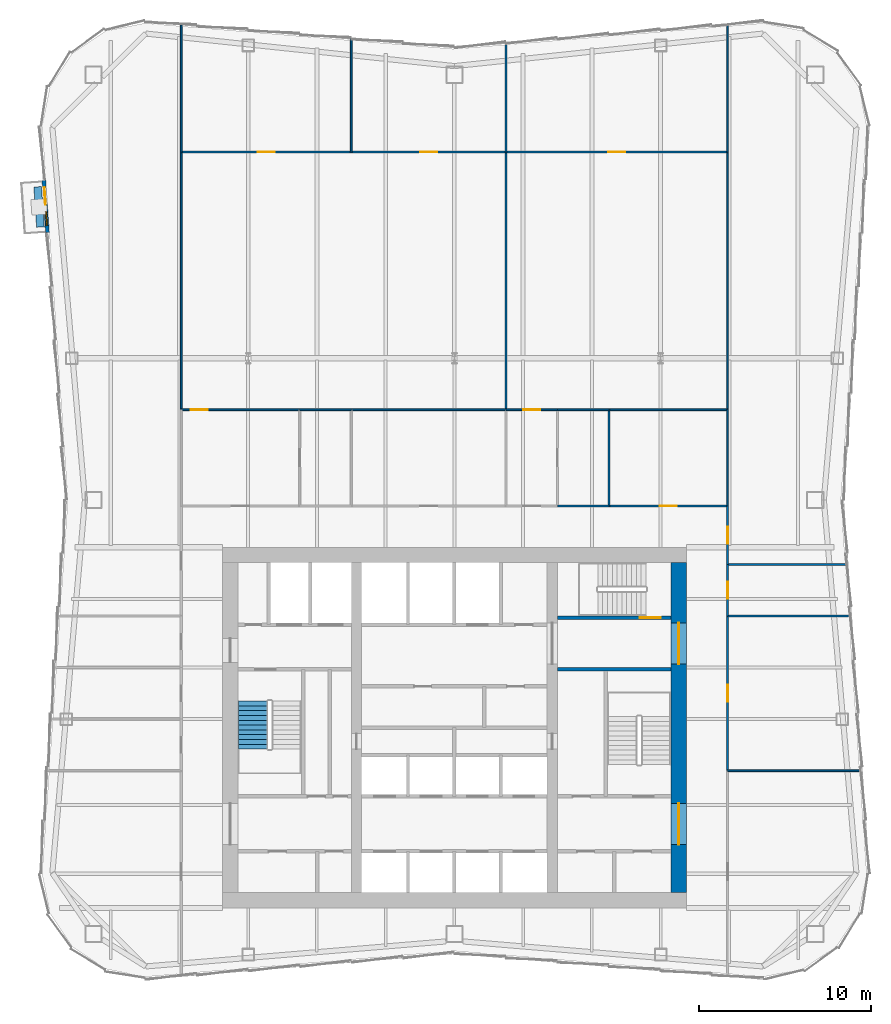
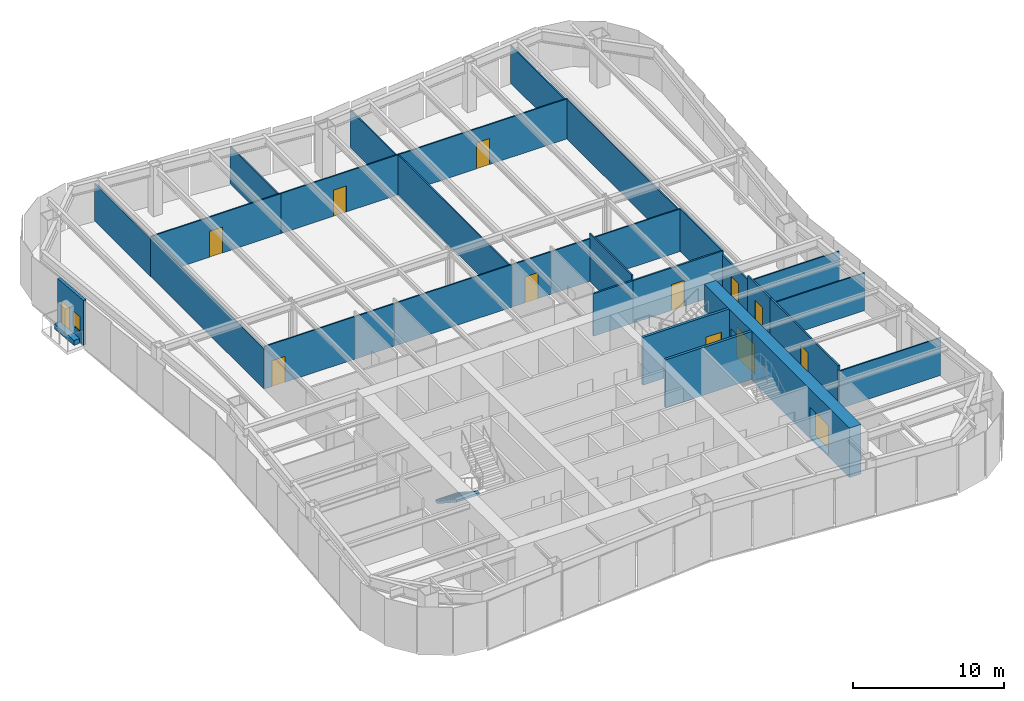
# One storey, part 7 of 10: 31 walls, 13 doors, 1 stair flight, 1 window, 14 openings, 1 element without a shape of its own.
"""IFC4 building model written with IfcOpenShell, lengths in metres."""

from ifc_helpers import new_model, si_unit, direction, frame, frame_2d, origin, place, context, subcontext, project, spatial, polyline, rectangle, outline, extrude, material, layer, layer_set, type_object, element, fill, aggregate, save


model = new_model("IFC4")

# Units and contexts
model_context = context("Model", 3, precision=1e-05, world=origin(), true_north=direction((0.0, 1.0)))
body_context = subcontext(model_context, "Body", "Model", "MODEL_VIEW")
ifc_project = project(units=[si_unit("LENGTHUNIT", "METRE"), si_unit("AREAUNIT", "SQUARE_METRE"), si_unit("VOLUMEUNIT", "CUBIC_METRE"), si_unit("PLANEANGLEUNIT", "RADIAN"), si_unit("MASSUNIT", "GRAM", prefix="KILO")], contexts=[model_context])

# Site, building, storey
site_placement = place(None, origin())
site = spatial("IfcSite", under=ifc_project, at=site_placement, CompositionType="ELEMENT")
building_placement = place(site_placement, origin())
building = spatial("IfcBuilding", under=site, at=building_placement, Name="Verdant Reach Tower", CompositionType="ELEMENT")
storey_placement = place(building_placement, frame((0.0, 0.0, 190.0)))
storey = spatial("IfcBuildingStorey", under=building, at=storey_placement, Name="L43", CompositionType="ELEMENT", Elevation=190.0)

# Wall
ifc_material_1 = material(Name="Concrete C40/50", Category="concrete")
ifc_layer_1 = layer(ifc_material_1, 0.199951171875)
ifc_layer_set_1 = layer_set([ifc_layer_1], Name="CO-WALL-STAIR")
wall_type_1 = type_object("IfcWallType", Name="CO-WALL-STAIR", PredefinedType="PARTITIONING", material=ifc_layer_set_1)
wall_1_placement = place(storey_placement, frame((6.0, 31.39990234375, 0.0), z_axis=(0.0, 0.0, 1.0), x_axis=(1.0, 0.0, 0.0)))
element("IfcWall", 1, at=wall_1_placement, inside=storey, type_object=wall_type_1, Name="Stair enclosure wall, L43", PredefinedType="PARTITIONING", context=body_context, shape_type="SweptSolid", body=[
    extrude(rectangle(XDim=6.60009765625, YDim=0.199951171875, at=frame_2d((3.300048828125, 0.0))), origin(), (0.0, 0.0, 1.0), 3.8701171875),
])

# Wall, opening, door
wall_2_placement = place(storey_placement, frame((6.0, 34.39990234375, 0.0), z_axis=(0.0, 0.0, 1.0), x_axis=(1.0, 0.0, 0.0)))
wall_2 = element("IfcWall", 2, at=wall_2_placement, inside=storey, type_object=wall_type_1, Name="Stair enclosure wall, L43", PredefinedType="PARTITIONING", context=body_context, shape_type="SweptSolid", body=[
    extrude(rectangle(XDim=6.60009765625, YDim=0.199951171875, at=frame_2d((3.300048828125, 0.0))), origin(), (0.0, 0.0, 1.0), 3.8701171875),
])
opening_1_placement = place(wall_2_placement, frame((4.800048828125, 0.0, 0.0)))
opening_1 = element("IfcOpeningElement", 3, at=opening_1_placement, cuts=wall_2, Name="Opening SD", PredefinedType="OPENING", context=body_context, shape_type="SweptSolid", body=[
    extrude(rectangle(XDim=1.199951171875, YDim=2.199951171875, at=frame_2d((0.60009765625, 1.10009765625))), frame((0.0, 0.10986328125, 0.0), z_axis=(0.0, -1.0, 0.0), x_axis=(1.0, 0.0, 0.0)), (0.0, 0.0, 1.0), 0.219970703125),
])
ifc_material_2 = material(Name="Steel", Category="steel")
door_type_1 = type_object("IfcDoorType", Name="CO-DOOR-STAIR", OperationType="NOTDEFINED", PredefinedType="DOOR", material=ifc_material_2)
door_1_placement = place(opening_1_placement, origin())
door_1 = element("IfcDoor", 4, at=door_1_placement, inside=storey, type_object=door_type_1, Name="Stair door, L43", OperationType="SINGLE_SWING_RIGHT", OverallHeight=2.199951171875, OverallWidth=1.199951171875, PredefinedType="DOOR", context=body_context, shape_type="SweptSolid", body=[
    extrude(rectangle(XDim=1.199951171875, YDim=2.199951171875, at=frame_2d((0.60009765625, 1.10009765625))), frame((0.0, 0.02490234375, 0.0), z_axis=(0.0, -1.0, 0.0), x_axis=(1.0, 0.0, 0.0)), (0.0, 0.0, 1.0), 0.050048828125),
])
fill(opening_1, door_1)

# Wall, openings, door, window
ifc_material_3 = material(Name="Insulated bronze aluminium panel wall", Category="aluminium")
ifc_layer_2 = layer(ifc_material_3, 0.219970703125)
ifc_layer_set_2 = layer_set([ifc_layer_2], Name="EN-INFILL WALL")
wall_type_2 = type_object("IfcWallType", Name="EN-INFILL WALL", PredefinedType="SOLIDWALL", material=ifc_layer_set_2)
wall_3_placement = place(storey_placement, frame((-23.89208984375, 59.8525390625, 0.0), z_axis=(0.0, 0.0, 1.0), x_axis=(0.068788350144, -0.997631276016, 0.0)))
wall_3 = element("IfcWall", 5, at=wall_3_placement, inside=storey, type_object=wall_type_2, Name="External infill wall, balcony bay 1, L43", PredefinedType="SOLIDWALL", context=body_context, shape_type="SweptSolid", body=[
    extrude(rectangle(XDim=3.048828125, YDim=0.218017578125, at=frame_2d((1.5244140625, 0.0))), origin(), (0.0, 0.0, 1.0), 3.64990234375),
])
opening_2_placement = place(wall_3_placement, frame((0.416259765625, 0.0, 0.0)))
opening_2 = element("IfcOpeningElement", 6, at=opening_2_placement, cuts=wall_3, Name="Opening BD1", PredefinedType="OPENING", context=body_context, shape_type="SweptSolid", body=[
    extrude(rectangle(XDim=1.0, YDim=2.10009765625, at=frame_2d((0.5, 1.050048828125))), frame((0.0, 0.118896484375, 0.0), z_axis=(0.0, -1.0, 0.0), x_axis=(1.0, 0.0, 0.0)), (0.0, 0.0, 1.0), 0.238037109375),
])
opening_3_placement = place(wall_3_placement, frame((1.832275390625, 0.0, 0.89990234375)))
opening_3 = element("IfcOpeningElement", 7, at=opening_3_placement, cuts=wall_3, Name="Opening BW1", PredefinedType="OPENING", context=body_context, shape_type="SweptSolid", body=[
    extrude(rectangle(XDim=0.800048828125, YDim=1.199951171875, at=frame_2d((0.39990234375, 0.60009765625))), frame((0.0, 0.118896484375, 0.0), z_axis=(0.0, -1.0, 0.0), x_axis=(1.0, 0.0, 0.0)), (0.0, 0.0, 1.0), 0.238037109375),
])
ifc_material_4 = material(Name="Aluminium framed glazed door", Category="aluminium")
door_type_2 = type_object("IfcDoorType", Name="EN-DOOR BALCONY", OperationType="NOTDEFINED", PredefinedType="DOOR", material=ifc_material_4)
door_2_placement = place(opening_2_placement, origin())
door_2 = element("IfcDoor", 8, at=door_2_placement, inside=storey, type_object=door_type_2, Name="Balcony door 1, L43", OperationType="SINGLE_SWING_LEFT", OverallHeight=2.10009765625, OverallWidth=1.0, PredefinedType="DOOR", context=body_context, shape_type="SweptSolid", body=[
    extrude(rectangle(XDim=1.0, YDim=2.10009765625, at=frame_2d((0.5, 1.050048828125))), frame((0.0, 0.02490234375, 0.0), z_axis=(0.0, -1.0, 0.0), x_axis=(1.0, 0.0, 0.0)), (0.0, 0.0, 1.0), 0.050048828125),
])
fill(opening_2, door_2)
ifc_material_5 = material(Name="Aluminium framed glazing", Category="aluminium")
window_type = type_object("IfcWindowType", Name="EN-WINDOW BALCONY", PartitioningType="SINGLE_PANEL", PredefinedType="WINDOW", material=ifc_material_5)
window_placement = place(opening_3_placement, origin())
window = element("IfcWindow", 9, at=window_placement, inside=storey, type_object=window_type, Name="Balcony window 1, L43", OverallHeight=1.199951171875, OverallWidth=0.800048828125, PartitioningType="SINGLE_PANEL", PredefinedType="WINDOW", context=body_context, shape_type="SweptSolid", body=[
    extrude(rectangle(XDim=0.800048828125, YDim=1.199951171875, at=frame_2d((0.39990234375, 0.60009765625))), frame((0.0, 0.030029296875, 0.0), z_axis=(0.0, -1.0, 0.0), x_axis=(1.0, 0.0, 0.0)), (0.0, 0.0, 1.0), 0.06005859375),
])
fill(opening_3, window)

# Wall
ifc_material_6 = material(Name="Precast concrete C30/37", Category="concrete")
ifc_layer_3 = layer(ifc_material_6, 0.449951171875)
ifc_layer_set_3 = layer_set([ifc_layer_3], Name="EN-PLANTER")
wall_type_3 = type_object("IfcWallType", Name="EN-PLANTER", PredefinedType="USERDEFINED", material=ifc_layer_set_3)
wall_4_placement = place(storey_placement, frame((-24.251220703125, 59.476806640625, 0.0), z_axis=(0.0, 0.0, 1.0), x_axis=(0.068816361971, -0.997629344158, 0.0)))
element("IfcWall", 10, at=wall_4_placement, inside=storey, type_object=wall_type_3, Name="Balcony planter 1, L43", ObjectType="PLANTER", PredefinedType="USERDEFINED", context=body_context, shape_type="SweptSolid", body=[
    extrude(rectangle(XDim=2.3486328125, YDim=0.449951171875, at=frame_2d((1.17431640625, 0.0))), origin(), (0.0, 0.0, 1.0), 0.39990234375),
])

# Wall, opening, door
ifc_material_7 = material(Name="Gypsum board on steel studs", Category="steel")
ifc_layer_4 = layer(ifc_material_7, 0.10009765625)
ifc_layer_set_4 = layer_set([ifc_layer_4], Name="FL-W1 Partition 100")
wall_type_4 = type_object("IfcWallType", Name="FL-W1 Partition 100", PredefinedType="PARTITIONING", material=ifc_layer_set_4)
wall_5_placement = place(storey_placement, frame((-15.89990234375, 46.5, 0.0), z_axis=(0.0, 0.0, 1.0), x_axis=(1.0, 0.0, 0.0)))
wall_5 = element("IfcWall", 11, at=wall_5_placement, inside=storey, type_object=wall_type_4, Name="Partition 43.17", PredefinedType="PARTITIONING", context=body_context, shape_type="SweptSolid", body=[
    extrude(rectangle(XDim=6.90380859375, YDim=0.10009765625, at=frame_2d((3.451904296875, 0.0))), origin(), (0.0, 0.0, 1.0), 3.43994140625),
])
opening_4_placement = place(wall_5_placement, frame((0.552001953125, 0.0, 0.0)))
opening_4 = element("IfcOpeningElement", 12, at=opening_4_placement, cuts=wall_5, Name="Opening D3", PredefinedType="OPENING", context=body_context, shape_type="SweptSolid", body=[
    extrude(rectangle(XDim=1.0, YDim=2.10009765625, at=frame_2d((0.5, 1.050048828125))), frame((0.0, 0.06005859375, 0.0), z_axis=(0.0, -1.0, 0.0), x_axis=(1.0, 0.0, 0.0)), (0.0, 0.0, 1.0), 0.1201171875),
])
ifc_material_8 = material(Name="Painted timber door leaf", Category="wood")
door_type_3 = type_object("IfcDoorType", Name="FL-D3 Door 1000x2100", OperationType="NOTDEFINED", PredefinedType="DOOR", material=ifc_material_8)
door_3_placement = place(opening_4_placement, origin())
door_3 = element("IfcDoor", 13, at=door_3_placement, inside=storey, type_object=door_type_3, Name="Door 43-015", OperationType="SINGLE_SWING_LEFT", OverallHeight=2.10009765625, OverallWidth=1.0, PredefinedType="DOOR", context=body_context, shape_type="SweptSolid", body=[
    extrude(rectangle(XDim=1.0, YDim=2.10009765625, at=frame_2d((0.5, 1.050048828125))), frame((0.0, 0.02490234375, 0.0), z_axis=(0.0, -1.0, 0.0), x_axis=(1.0, 0.0, 0.0)), (0.0, 0.0, 1.0), 0.050048828125),
])
fill(opening_4, door_3)

# Walls
wall_6_placement = place(storey_placement, frame((-5.99609375, 46.5, 0.0), z_axis=(0.0, 0.0, 1.0), x_axis=(-1.0, 0.0, 0.0)))
element("IfcWall", 14, at=wall_6_placement, inside=storey, type_object=wall_type_4, Name="Partition 43.20", PredefinedType="PARTITIONING", context=body_context, shape_type="SweptSolid", body=[
    extrude(rectangle(XDim=3.0078125, YDim=0.10009765625, at=frame_2d((1.50390625, 0.0))), origin(), (0.0, 0.0, 1.0), 3.43994140625),
])
wall_7_placement = place(storey_placement, frame((3.0, 46.5, 0.0), z_axis=(0.0, 0.0, 1.0), x_axis=(-1.0, 0.0, 0.0)))
element("IfcWall", 15, at=wall_7_placement, inside=storey, type_object=wall_type_4, Name="Partition 43.21", PredefinedType="PARTITIONING", context=body_context, shape_type="SweptSolid", body=[
    extrude(rectangle(XDim=9.00390625, YDim=0.10009765625, at=frame_2d((4.501953125, 0.0))), origin(), (0.0, 0.0, 1.0), 3.43994140625),
])

# Wall, opening, door
wall_8_placement = place(storey_placement, frame((-15.89990234375, 61.5, 0.0), z_axis=(0.0, 0.0, 1.0), x_axis=(1.0, 0.0, 0.0)))
wall_8 = element("IfcWall", 16, at=wall_8_placement, inside=storey, type_object=wall_type_4, Name="Partition 43.23", PredefinedType="PARTITIONING", context=body_context, shape_type="SweptSolid", body=[
    extrude(rectangle(XDim=9.89990234375, YDim=0.10009765625, at=frame_2d((4.949951171875, 0.0))), origin(), (0.0, 0.0, 1.0), 3.239990234375),
])
opening_5_placement = place(wall_8_placement, frame((4.449951171875, 0.0, 0.0)))
opening_5 = element("IfcOpeningElement", 17, at=opening_5_placement, cuts=wall_8, Name="Opening D3", PredefinedType="OPENING", context=body_context, shape_type="SweptSolid", body=[
    extrude(rectangle(XDim=1.0, YDim=2.10009765625, at=frame_2d((0.5, 1.050048828125))), frame((0.0, 0.06005859375, 0.0), z_axis=(0.0, -1.0, 0.0), x_axis=(1.0, 0.0, 0.0)), (0.0, 0.0, 1.0), 0.1201171875),
])
door_4_placement = place(opening_5_placement, origin())
door_4 = element("IfcDoor", 18, at=door_4_placement, inside=storey, type_object=door_type_3, Name="Door 43-016", OperationType="SINGLE_SWING_RIGHT", OverallHeight=2.10009765625, OverallWidth=1.0, PredefinedType="DOOR", context=body_context, shape_type="SweptSolid", body=[
    extrude(rectangle(XDim=1.0, YDim=2.10009765625, at=frame_2d((0.5, 1.050048828125))), frame((0.0, 0.02490234375, 0.0), z_axis=(0.0, -1.0, 0.0), x_axis=(1.0, 0.0, 0.0)), (0.0, 0.0, 1.0), 0.050048828125),
])
fill(opening_5, door_4)

wall_9_placement = place(storey_placement, frame((-6.0, 61.5, 0.0), z_axis=(0.0, 0.0, 1.0), x_axis=(1.0, 0.0, 0.0)))
wall_9 = element("IfcWall", 19, at=wall_9_placement, inside=storey, type_object=wall_type_4, Name="Partition 43.24", PredefinedType="PARTITIONING", context=body_context, shape_type="SweptSolid", body=[
    extrude(rectangle(XDim=9.0, YDim=0.10009765625, at=frame_2d((4.5, 0.0))), origin(), (0.0, 0.0, 1.0), 3.239990234375),
])
opening_6_placement = place(wall_9_placement, frame((4.0, 0.0, 0.0)))
opening_6 = element("IfcOpeningElement", 20, at=opening_6_placement, cuts=wall_9, Name="Opening D3", PredefinedType="OPENING", context=body_context, shape_type="SweptSolid", body=[
    extrude(rectangle(XDim=1.0, YDim=2.10009765625, at=frame_2d((0.5, 1.050048828125))), frame((0.0, 0.06005859375, 0.0), z_axis=(0.0, -1.0, 0.0), x_axis=(1.0, 0.0, 0.0)), (0.0, 0.0, 1.0), 0.1201171875),
])
door_5_placement = place(opening_6_placement, origin())
door_5 = element("IfcDoor", 21, at=door_5_placement, inside=storey, type_object=door_type_3, Name="Door 43-017", OperationType="SINGLE_SWING_LEFT", OverallHeight=2.10009765625, OverallWidth=1.0, PredefinedType="DOOR", context=body_context, shape_type="SweptSolid", body=[
    extrude(rectangle(XDim=1.0, YDim=2.10009765625, at=frame_2d((0.5, 1.050048828125))), frame((0.0, 0.02490234375, 0.0), z_axis=(0.0, -1.0, 0.0), x_axis=(1.0, 0.0, 0.0)), (0.0, 0.0, 1.0), 0.050048828125),
])
fill(opening_6, door_5)

# Walls
wall_10_placement = place(storey_placement, frame((3.0, 46.5, 0.0), z_axis=(0.0, 0.0, 1.0), x_axis=(0.0, 1.0, 0.0)))
element("IfcWall", 22, at=wall_10_placement, inside=storey, type_object=wall_type_4, Name="Partition 43.25", PredefinedType="PARTITIONING", context=body_context, shape_type="SweptSolid", body=[
    extrude(rectangle(XDim=15.0, YDim=0.10009765625, at=frame_2d((7.5, 0.0))), origin(), (0.0, 0.0, 1.0), 3.239990234375),
])
wall_11_placement = place(storey_placement, frame((-15.89990234375, 61.50390625, 0.0), z_axis=(0.0, 0.0, 1.0), x_axis=(0.0, -1.0, 0.0)))
element("IfcWall", 23, at=wall_11_placement, inside=storey, type_object=wall_type_4, Name="Partition 43.26", PredefinedType="PARTITIONING", context=body_context, shape_type="SweptSolid", body=[
    extrude(rectangle(XDim=15.0078125, YDim=0.10009765625, at=frame_2d((7.50390625, 0.0))), origin(), (0.0, 0.0, 1.0), 3.239990234375),
])
wall_12_placement = place(storey_placement, frame((-6.0, 61.5, 0.0), z_axis=(0.0, 0.0, 1.0), x_axis=(0.0, 1.0, 0.0)))
element("IfcWall", 24, at=wall_12_placement, inside=storey, type_object=wall_type_4, Name="Partition 43.27", PredefinedType="PARTITIONING", context=body_context, shape_type="SweptSolid", body=[
    extrude(rectangle(XDim=6.580078125, YDim=0.10009765625, at=frame_2d((3.2900390625, 0.0))), origin(), (0.0, 0.0, 1.0), 3.0400390625),
])
wall_13_placement = place(storey_placement, frame((-15.89990234375, 68.905029296875, 0.0), z_axis=(0.0, 0.0, 1.0), x_axis=(0.0, -1.0, 0.0)))
element("IfcWall", 25, at=wall_13_placement, inside=storey, type_object=wall_type_4, Name="Partition 43.28", PredefinedType="PARTITIONING", context=body_context, shape_type="SweptSolid", body=[
    extrude(rectangle(XDim=7.408935546875, YDim=0.10009765625, at=frame_2d((3.70458984375, 0.0))), origin(), (0.0, 0.0, 1.0), 3.0400390625),
])
wall_14_placement = place(storey_placement, frame((3.0, 61.5, 0.0), z_axis=(0.0, 0.0, 1.0), x_axis=(0.0, 1.0, 0.0)))
element("IfcWall", 26, at=wall_14_placement, inside=storey, type_object=wall_type_4, Name="Partition 43.29", PredefinedType="PARTITIONING", context=body_context, shape_type="SweptSolid", body=[
    extrude(rectangle(XDim=6.330078125, YDim=0.10009765625, at=frame_2d((3.1650390625, 0.0))), origin(), (0.0, 0.0, 1.0), 3.0400390625),
])

# Wall, opening, door
wall_15_placement = place(storey_placement, frame((3.0, 46.5, 0.0), z_axis=(0.0, 0.0, 1.0), x_axis=(1.0, 0.0, 0.0)))
wall_15 = element("IfcWall", 27, at=wall_15_placement, inside=storey, type_object=wall_type_4, Name="Partition 43.31", PredefinedType="PARTITIONING", context=body_context, shape_type="SweptSolid", body=[
    extrude(rectangle(XDim=3.00390625, YDim=0.10009765625, at=frame_2d((1.501953125, 0.0))), origin(), (0.0, 0.0, 1.0), 3.43994140625),
])
opening_7_placement = place(wall_15_placement, frame((1.001953125, 0.0, 0.0)))
opening_7 = element("IfcOpeningElement", 28, at=opening_7_placement, cuts=wall_15, Name="Opening D3", PredefinedType="OPENING", context=body_context, shape_type="SweptSolid", body=[
    extrude(rectangle(XDim=1.0, YDim=2.10009765625, at=frame_2d((0.5, 1.050048828125))), frame((0.0, 0.06005859375, 0.0), z_axis=(0.0, -1.0, 0.0), x_axis=(1.0, 0.0, 0.0)), (0.0, 0.0, 1.0), 0.1201171875),
])
door_6_placement = place(opening_7_placement, origin())
door_6 = element("IfcDoor", 29, at=door_6_placement, inside=storey, type_object=door_type_3, Name="Door 43-019", OperationType="SINGLE_SWING_LEFT", OverallHeight=2.10009765625, OverallWidth=1.0, PredefinedType="DOOR", context=body_context, shape_type="SweptSolid", body=[
    extrude(rectangle(XDim=1.0, YDim=2.10009765625, at=frame_2d((0.5, 1.050048828125))), frame((0.0, 0.02490234375, 0.0), z_axis=(0.0, -1.0, 0.0), x_axis=(1.0, 0.0, 0.0)), (0.0, 0.0, 1.0), 0.050048828125),
])
fill(opening_7, door_6)

# Walls
wall_16_placement = place(storey_placement, frame((9.0, 40.89990234375, 0.0), z_axis=(0.0, 0.0, 1.0), x_axis=(0.0, 1.0, 0.0)))
element("IfcWall", 30, at=wall_16_placement, inside=storey, type_object=wall_type_4, Name="Partition 43.32", PredefinedType="PARTITIONING", context=body_context, shape_type="SweptSolid", body=[
    extrude(rectangle(XDim=5.60009765625, YDim=0.10009765625, at=frame_2d((2.800048828125, 0.0))), origin(), (0.0, 0.0, 1.0), 3.8701171875),
])
wall_17_placement = place(storey_placement, frame((9.00390625, 46.5, 0.0), z_axis=(0.0, 0.0, 1.0), x_axis=(-1.0, 0.0, 0.0)))
element("IfcWall", 31, at=wall_17_placement, inside=storey, type_object=wall_type_4, Name="Partition 43.33", PredefinedType="PARTITIONING", context=body_context, shape_type="SweptSolid", body=[
    extrude(rectangle(XDim=3.0078125, YDim=0.10009765625, at=frame_2d((1.50390625, 0.0))), origin(), (0.0, 0.0, 1.0), 3.43994140625),
])
wall_18_placement = place(storey_placement, frame((15.89990234375, 46.5, 0.0), z_axis=(0.0, 0.0, 1.0), x_axis=(-1.0, 0.0, 0.0)))
element("IfcWall", 32, at=wall_18_placement, inside=storey, type_object=wall_type_4, Name="Partition 43.34", PredefinedType="PARTITIONING", context=body_context, shape_type="SweptSolid", body=[
    extrude(rectangle(XDim=6.90380859375, YDim=0.10009765625, at=frame_2d((3.451904296875, 0.0))), origin(), (0.0, 0.0, 1.0), 3.43994140625),
])
wall_19_placement = place(storey_placement, frame((15.89990234375, 40.89599609375, 0.0), z_axis=(0.0, 0.0, 1.0), x_axis=(0.0, 1.0, 0.0)))
element("IfcWall", 33, at=wall_19_placement, inside=storey, type_object=wall_type_4, Name="Partition 43.35", PredefinedType="PARTITIONING", context=body_context, shape_type="SweptSolid", body=[
    extrude(rectangle(XDim=5.60791015625, YDim=0.10009765625, at=frame_2d((2.803955078125, 0.0))), origin(), (0.0, 0.0, 1.0), 3.43994140625),
])

# Wall, opening, door
wall_20_placement = place(storey_placement, frame((3.0, 61.5, 0.0), z_axis=(0.0, 0.0, 1.0), x_axis=(1.0, 0.0, 0.0)))
wall_20 = element("IfcWall", 34, at=wall_20_placement, inside=storey, type_object=wall_type_4, Name="Partition 43.36", PredefinedType="PARTITIONING", context=body_context, shape_type="SweptSolid", body=[
    extrude(rectangle(XDim=12.89990234375, YDim=0.10009765625, at=frame_2d((6.449951171875, 0.0))), origin(), (0.0, 0.0, 1.0), 3.239990234375),
])
opening_8_placement = place(wall_20_placement, frame((5.949951171875, 0.0, 0.0)))
opening_8 = element("IfcOpeningElement", 35, at=opening_8_placement, cuts=wall_20, Name="Opening D3", PredefinedType="OPENING", context=body_context, shape_type="SweptSolid", body=[
    extrude(rectangle(XDim=1.0, YDim=2.10009765625, at=frame_2d((0.5, 1.050048828125))), frame((0.0, 0.06005859375, 0.0), z_axis=(0.0, -1.0, 0.0), x_axis=(1.0, 0.0, 0.0)), (0.0, 0.0, 1.0), 0.1201171875),
])
door_7_placement = place(opening_8_placement, origin())
door_7 = element("IfcDoor", 36, at=door_7_placement, inside=storey, type_object=door_type_3, Name="Door 43-020", OperationType="SINGLE_SWING_RIGHT", OverallHeight=2.10009765625, OverallWidth=1.0, PredefinedType="DOOR", context=body_context, shape_type="SweptSolid", body=[
    extrude(rectangle(XDim=1.0, YDim=2.10009765625, at=frame_2d((0.5, 1.050048828125))), frame((0.0, 0.02490234375, 0.0), z_axis=(0.0, -1.0, 0.0), x_axis=(1.0, 0.0, 0.0)), (0.0, 0.0, 1.0), 0.050048828125),
])
fill(opening_8, door_7)

# Walls
wall_21_placement = place(storey_placement, frame((15.89990234375, 46.49609375, 0.0), z_axis=(0.0, 0.0, 1.0), x_axis=(0.0, 1.0, 0.0)))
element("IfcWall", 37, at=wall_21_placement, inside=storey, type_object=wall_type_4, Name="Partition 43.37", PredefinedType="PARTITIONING", context=body_context, shape_type="SweptSolid", body=[
    extrude(rectangle(XDim=15.0078125, YDim=0.10009765625, at=frame_2d((7.50390625, 0.0))), origin(), (0.0, 0.0, 1.0), 3.239990234375),
])
wall_22_placement = place(storey_placement, frame((15.89990234375, 61.49609375, 0.0), z_axis=(0.0, 0.0, 1.0), x_axis=(0.0, 1.0, 0.0)))
element("IfcWall", 38, at=wall_22_placement, inside=storey, type_object=wall_type_4, Name="Partition 43.38", PredefinedType="PARTITIONING", context=body_context, shape_type="SweptSolid", body=[
    extrude(rectangle(XDim=7.408935546875, YDim=0.10009765625, at=frame_2d((3.70458984375, 0.0))), origin(), (0.0, 0.0, 1.0), 3.0400390625),
])
wall_23_placement = place(storey_placement, frame((23.666259765625, 25.5, 0.0), z_axis=(0.0, 0.0, 1.0), x_axis=(-1.0, 0.0, 0.0)))
element("IfcWall", 39, at=wall_23_placement, inside=storey, type_object=wall_type_4, Name="Partition 43.43", PredefinedType="PARTITIONING", context=body_context, shape_type="SweptSolid", body=[
    extrude(rectangle(XDim=7.766357421875, YDim=0.10009765625, at=frame_2d((3.88330078125, 0.0))), origin(), (0.0, 0.0, 1.0), 3.0400390625),
])
wall_24_placement = place(storey_placement, frame((23.04541015625, 34.5, 0.0), z_axis=(0.0, 0.0, 1.0), x_axis=(-1.0, 0.0, 0.0)))
element("IfcWall", 40, at=wall_24_placement, inside=storey, type_object=wall_type_4, Name="Partition 43.44", PredefinedType="PARTITIONING", context=body_context, shape_type="SweptSolid", body=[
    extrude(rectangle(XDim=7.1455078125, YDim=0.10009765625, at=frame_2d((3.57275390625, 0.0))), origin(), (0.0, 0.0, 1.0), 3.0400390625),
])
wall_25_placement = place(storey_placement, frame((22.838623046875, 37.5, 0.0), z_axis=(0.0, 0.0, 1.0), x_axis=(-1.0, 0.0, 0.0)))
element("IfcWall", 41, at=wall_25_placement, inside=storey, type_object=wall_type_4, Name="Partition 43.45", PredefinedType="PARTITIONING", context=body_context, shape_type="SweptSolid", body=[
    extrude(rectangle(XDim=6.938720703125, YDim=0.10009765625, at=frame_2d((3.46923828125, 0.0))), origin(), (0.0, 0.0, 1.0), 3.0400390625),
])
ifc_material_9 = material(Name="Gypsum board on steel studs, fire rated", Category="steel")
ifc_layer_5 = layer(ifc_material_9, 0.125)
ifc_layer_set_5 = layer_set([ifc_layer_5], Name="FL-W2 Corridor wall 125")
wall_type_5 = type_object("IfcWallType", Name="FL-W2 Corridor wall 125", PredefinedType="PARTITIONING", material=ifc_layer_set_5)
wall_26_placement = place(storey_placement, frame((9.0, 40.89990234375, 0.0), z_axis=(0.0, 0.0, 1.0), x_axis=(-1.0, 0.0, 0.0)))
element("IfcWall", 42, at=wall_26_placement, inside=storey, type_object=wall_type_5, Name="Partition 43.05", PredefinedType="PARTITIONING", context=body_context, shape_type="SweptSolid", body=[
    extrude(rectangle(XDim=3.0, YDim=0.125, at=frame_2d((1.5, 0.0))), origin(), (0.0, 0.0, 1.0), 3.43994140625),
])

# Wall, opening, door
wall_27_placement = place(storey_placement, frame((9.0, 40.89990234375, 0.0), z_axis=(0.0, 0.0, 1.0), x_axis=(1.0, 0.0, 0.0)))
wall_27 = element("IfcWall", 43, at=wall_27_placement, inside=storey, type_object=wall_type_5, Name="Partition 43.06", PredefinedType="PARTITIONING", context=body_context, shape_type="SweptSolid", body=[
    extrude(rectangle(XDim=6.89990234375, YDim=0.125, at=frame_2d((3.449951171875, 0.0))), origin(), (0.0, 0.0, 1.0), 3.43994140625),
])
opening_9_placement = place(wall_27_placement, frame((2.949951171875, 0.0, 0.0)))
opening_9 = element("IfcOpeningElement", 44, at=opening_9_placement, cuts=wall_27, Name="Opening D2", PredefinedType="OPENING", context=body_context, shape_type="SweptSolid", body=[
    extrude(rectangle(XDim=1.0, YDim=2.10009765625, at=frame_2d((0.5, 1.050048828125))), frame((0.0, 0.072509765625, 0.0), z_axis=(0.0, -1.0, 0.0), x_axis=(1.0, 0.0, 0.0)), (0.0, 0.0, 1.0), 0.14501953125),
])
ifc_material_10 = material(Name="Timber door leaf, fire rated", Category="wood")
door_type_4 = type_object("IfcDoorType", Name="FL-D2 Entrance door 1000x2100 FD30", OperationType="NOTDEFINED", PredefinedType="DOOR", material=ifc_material_10)
door_8_placement = place(opening_9_placement, origin())
door_8 = element("IfcDoor", 45, at=door_8_placement, inside=storey, type_object=door_type_4, Name="Door 43-004", OperationType="SINGLE_SWING_RIGHT", OverallHeight=2.10009765625, OverallWidth=1.0, PredefinedType="DOOR", context=body_context, shape_type="SweptSolid", body=[
    extrude(rectangle(XDim=1.0, YDim=2.10009765625, at=frame_2d((0.5, 1.050048828125))), frame((0.0, 0.02490234375, 0.0), z_axis=(0.0, -1.0, 0.0), x_axis=(1.0, 0.0, 0.0)), (0.0, 0.0, 1.0), 0.050048828125),
])
fill(opening_9, door_8)

wall_28_placement = place(storey_placement, frame((15.89990234375, 34.5, 0.0), z_axis=(0.0, 0.0, 1.0), x_axis=(0.0, -1.0, 0.0)))
wall_28 = element("IfcWall", 46, at=wall_28_placement, inside=storey, type_object=wall_type_5, Name="Partition 43.13", PredefinedType="PARTITIONING", context=body_context, shape_type="SweptSolid", body=[
    extrude(rectangle(XDim=9.0, YDim=0.125, at=frame_2d((4.5, 0.0))), origin(), (0.0, 0.0, 1.0), 3.47998046875),
])
opening_10_placement = place(wall_28_placement, frame((4.0, 0.0, 0.0)))
opening_10 = element("IfcOpeningElement", 47, at=opening_10_placement, cuts=wall_28, Name="Opening D2", PredefinedType="OPENING", context=body_context, shape_type="SweptSolid", body=[
    extrude(rectangle(XDim=1.0, YDim=2.10009765625, at=frame_2d((0.5, 1.050048828125))), frame((0.0, 0.072509765625, 0.0), z_axis=(0.0, -1.0, 0.0), x_axis=(1.0, 0.0, 0.0)), (0.0, 0.0, 1.0), 0.14501953125),
])
door_9_placement = place(opening_10_placement, origin())
door_9 = element("IfcDoor", 48, at=door_9_placement, inside=storey, type_object=door_type_4, Name="Door 43-011", OperationType="SINGLE_SWING_LEFT", OverallHeight=2.10009765625, OverallWidth=1.0, PredefinedType="DOOR", context=body_context, shape_type="SweptSolid", body=[
    extrude(rectangle(XDim=1.0, YDim=2.10009765625, at=frame_2d((0.5, 1.050048828125))), frame((0.0, 0.02490234375, 0.0), z_axis=(0.0, -1.0, 0.0), x_axis=(1.0, 0.0, 0.0)), (0.0, 0.0, 1.0), 0.050048828125),
])
fill(opening_10, door_9)

wall_29_placement = place(storey_placement, frame((15.89990234375, 37.5, 0.0), z_axis=(0.0, 0.0, 1.0), x_axis=(0.0, -1.0, 0.0)))
wall_29 = element("IfcWall", 49, at=wall_29_placement, inside=storey, type_object=wall_type_5, Name="Partition 43.14", PredefinedType="PARTITIONING", context=body_context, shape_type="SweptSolid", body=[
    extrude(rectangle(XDim=3.0, YDim=0.125, at=frame_2d((1.5, 0.0))), origin(), (0.0, 0.0, 1.0), 3.47998046875),
])
opening_11_placement = place(wall_29_placement, frame((1.0, 0.0, 0.0)))
opening_11 = element("IfcOpeningElement", 50, at=opening_11_placement, cuts=wall_29, Name="Opening D2", PredefinedType="OPENING", context=body_context, shape_type="SweptSolid", body=[
    extrude(rectangle(XDim=1.0, YDim=2.10009765625, at=frame_2d((0.5, 1.050048828125))), frame((0.0, 0.072509765625, 0.0), z_axis=(0.0, -1.0, 0.0), x_axis=(1.0, 0.0, 0.0)), (0.0, 0.0, 1.0), 0.14501953125),
])
door_10_placement = place(opening_11_placement, origin())
door_10 = element("IfcDoor", 51, at=door_10_placement, inside=storey, type_object=door_type_4, Name="Door 43-012", OperationType="SINGLE_SWING_RIGHT", OverallHeight=2.10009765625, OverallWidth=1.0, PredefinedType="DOOR", context=body_context, shape_type="SweptSolid", body=[
    extrude(rectangle(XDim=1.0, YDim=2.10009765625, at=frame_2d((0.5, 1.050048828125))), frame((0.0, 0.02490234375, 0.0), z_axis=(0.0, -1.0, 0.0), x_axis=(1.0, 0.0, 0.0)), (0.0, 0.0, 1.0), 0.050048828125),
])
fill(opening_11, door_10)

wall_30_placement = place(storey_placement, frame((15.89990234375, 40.904052734375, 0.0), z_axis=(0.0, 0.0, 1.0), x_axis=(0.0, -1.0, 0.0)))
wall_30 = element("IfcWall", 52, at=wall_30_placement, inside=storey, type_object=wall_type_5, Name="Partition 43.15", PredefinedType="PARTITIONING", context=body_context, shape_type="SweptSolid", body=[
    extrude(rectangle(XDim=3.404052734375, YDim=0.125, at=frame_2d((1.7021484375, 0.0))), origin(), (0.0, 0.0, 1.0), 3.139892578125),
])
opening_12_placement = place(wall_30_placement, frame((1.201904296875, 0.0, 0.0)))
opening_12 = element("IfcOpeningElement", 53, at=opening_12_placement, cuts=wall_30, Name="Opening D2", PredefinedType="OPENING", context=body_context, shape_type="SweptSolid", body=[
    extrude(rectangle(XDim=1.0, YDim=2.10009765625, at=frame_2d((0.5, 1.050048828125))), frame((0.0, 0.072509765625, 0.0), z_axis=(0.0, -1.0, 0.0), x_axis=(1.0, 0.0, 0.0)), (0.0, 0.0, 1.0), 0.14501953125),
])
door_11_placement = place(opening_12_placement, origin())
door_11 = element("IfcDoor", 54, at=door_11_placement, inside=storey, type_object=door_type_4, Name="Door 43-013", OperationType="SINGLE_SWING_LEFT", OverallHeight=2.10009765625, OverallWidth=1.0, PredefinedType="DOOR", context=body_context, shape_type="SweptSolid", body=[
    extrude(rectangle(XDim=1.0, YDim=2.10009765625, at=frame_2d((0.5, 1.050048828125))), frame((0.0, 0.02490234375, 0.0), z_axis=(0.0, -1.0, 0.0), x_axis=(1.0, 0.0, 0.0)), (0.0, 0.0, 1.0), 0.050048828125),
])
fill(opening_12, door_11)

# Wall, openings, doors
ifc_material_11 = material(Name="Concrete C70/85", Category="concrete")
ifc_layer_6 = layer(ifc_material_11, 0.89990234375)
ifc_layer_set_6 = layer_set([ifc_layer_6], Name="ST-CORE-WALL-900")
wall_type_6 = type_object("IfcWallType", Name="ST-CORE-WALL-900", PredefinedType="SHEAR", material=ifc_layer_set_6)
wall_31_placement = place(storey_placement, frame((13.050048828125, 18.39990234375, -0.1298828125), z_axis=(0.0, 0.0, 1.0), x_axis=(0.0, 1.0, 0.0)))
wall_31 = element("IfcWall", 55, at=wall_31_placement, inside=storey, type_object=wall_type_6, Name="Core wall E, L43", PredefinedType="SHEAR", context=body_context, shape_type="SweptSolid", body=[
    extrude(rectangle(XDim=19.2001953125, YDim=0.89990234375, at=frame_2d((9.60009765625, 0.0))), origin(), (0.0, 0.0, 1.0), 4.0),
])
opening_13_placement = place(wall_31_placement, frame((2.800048828125, 0.0, 0.1298828125)))
opening_13 = element("IfcOpeningElement", 56, at=opening_13_placement, cuts=wall_31, Name="Opening LB", PredefinedType="OPENING", context=body_context, shape_type="SweptSolid", body=[
    extrude(rectangle(XDim=2.39990234375, YDim=2.39990234375, at=frame_2d((1.199951171875, 1.199951171875))), frame((0.0, 0.4599609375, 0.0), z_axis=(0.0, -1.0, 0.0), x_axis=(1.0, 0.0, 0.0)), (0.0, 0.0, 1.0), 0.919921875),
])
opening_14_placement = place(wall_31_placement, frame((13.300048828125, 0.0, 0.1298828125)))
opening_14 = element("IfcOpeningElement", 57, at=opening_14_placement, cuts=wall_31, Name="Opening LB", PredefinedType="OPENING", context=body_context, shape_type="SweptSolid", body=[
    extrude(rectangle(XDim=2.39990234375, YDim=2.39990234375, at=frame_2d((1.199951171875, 1.199951171875))), frame((0.0, 0.4599609375, 0.0), z_axis=(0.0, -1.0, 0.0), x_axis=(1.0, 0.0, 0.0)), (0.0, 0.0, 1.0), 0.919921875),
])
ifc_material_12 = material(Name="Glass and steel", Category="steel")
door_type_5 = type_object("IfcDoorType", Name="CO-DOOR-LOBBY", OperationType="DOUBLE_DOOR_SINGLE_SWING", PredefinedType="DOOR", material=ifc_material_12)
door_12_placement = place(opening_13_placement, origin())
door_12 = element("IfcDoor", 58, at=door_12_placement, inside=storey, type_object=door_type_5, Name="Core entrance door, L43", OperationType="DOUBLE_DOOR_SINGLE_SWING", OverallHeight=2.39990234375, OverallWidth=2.39990234375, PredefinedType="DOOR", context=body_context, shape_type="SweptSolid", body=[
    extrude(rectangle(XDim=2.39990234375, YDim=2.39990234375, at=frame_2d((1.199951171875, 1.199951171875))), frame((0.0, 0.02490234375, 0.0), z_axis=(0.0, -1.0, 0.0), x_axis=(1.0, 0.0, 0.0)), (0.0, 0.0, 1.0), 0.050048828125),
])
fill(opening_13, door_12)
door_13_placement = place(opening_14_placement, origin())
door_13 = element("IfcDoor", 59, at=door_13_placement, inside=storey, type_object=door_type_5, Name="Core entrance door, L43", OperationType="DOUBLE_DOOR_SINGLE_SWING", OverallHeight=2.39990234375, OverallWidth=2.39990234375, PredefinedType="DOOR", context=body_context, shape_type="SweptSolid", body=[
    extrude(rectangle(XDim=2.39990234375, YDim=2.39990234375, at=frame_2d((1.199951171875, 1.199951171875))), frame((0.0, 0.02490234375, 0.0), z_axis=(0.0, -1.0, 0.0), x_axis=(1.0, 0.0, 0.0)), (0.0, 0.0, 1.0), 0.050048828125),
])
fill(opening_14, door_13)

# Stair, stair flight
stair_type = type_object("IfcStairType", Name="CO-STAIR", PredefinedType="HALF_TURN_STAIR", material=ifc_material_1)
stair_placement = place(storey_placement, origin())
stair = element("IfcStair", 60, at=stair_placement, inside=storey, type_object=stair_type, Name="L43 Exit stair 1", PredefinedType="HALF_TURN_STAIR")
stair_flight_type = type_object("IfcStairFlightType", Name="CO-STAIR-FLIGHT", PredefinedType="STRAIGHT", material=ifc_material_1)
stair_flight_placement = place(storey_placement, frame((-11.72509765625, 29.550048828125, 0.0), z_axis=(0.0, 0.0, 1.0), x_axis=(0.0, -1.0, 0.0)))
stair_flight = element("IfcStairFlight", 61, at=stair_flight_placement, type_object=stair_flight_type, Name="ST-1 flight 1", NumberOfRisers=11, NumberOfTreads=10, PredefinedType="STRAIGHT", RiserHeight=0.181818182, TreadLength=0.28, context=body_context, shape_type="SweptSolid", body=[
    extrude(outline(polyline([(0.0, 0.0), (0.0, 0.181884765625), (0.280029296875, 0.181884765625), (0.280029296875, 0.363525390625), (0.56005859375, 0.363525390625), (0.56005859375, 0.54541015625), (0.840087890625, 0.54541015625), (0.840087890625, 0.727294921875), (1.1201171875, 0.727294921875), (1.1201171875, 0.9091796875), (1.39990234375, 0.9091796875), (1.39990234375, 1.0908203125), (1.679931640625, 1.0908203125), (1.679931640625, 1.272705078125), (1.9599609375, 1.272705078125), (1.9599609375, 1.45458984375), (2.239990234375, 1.45458984375), (2.239990234375, 1.636474609375), (2.52001953125, 1.636474609375), (2.52001953125, 1.818115234375), (2.800048828125, 1.818115234375), (2.800048828125, 2.0), (2.800048828125, 1.639404296875), (0.275146484375, 0.0), (0.0, 0.0)])), frame((0.0, 0.875, 0.0), z_axis=(0.0, -1.0, 0.0), x_axis=(1.0, 0.0, 0.0)), (0.0, 0.0, 1.0), 1.75),
])
aggregate(stair, [stair_flight])

save(model, "model.ifc")
